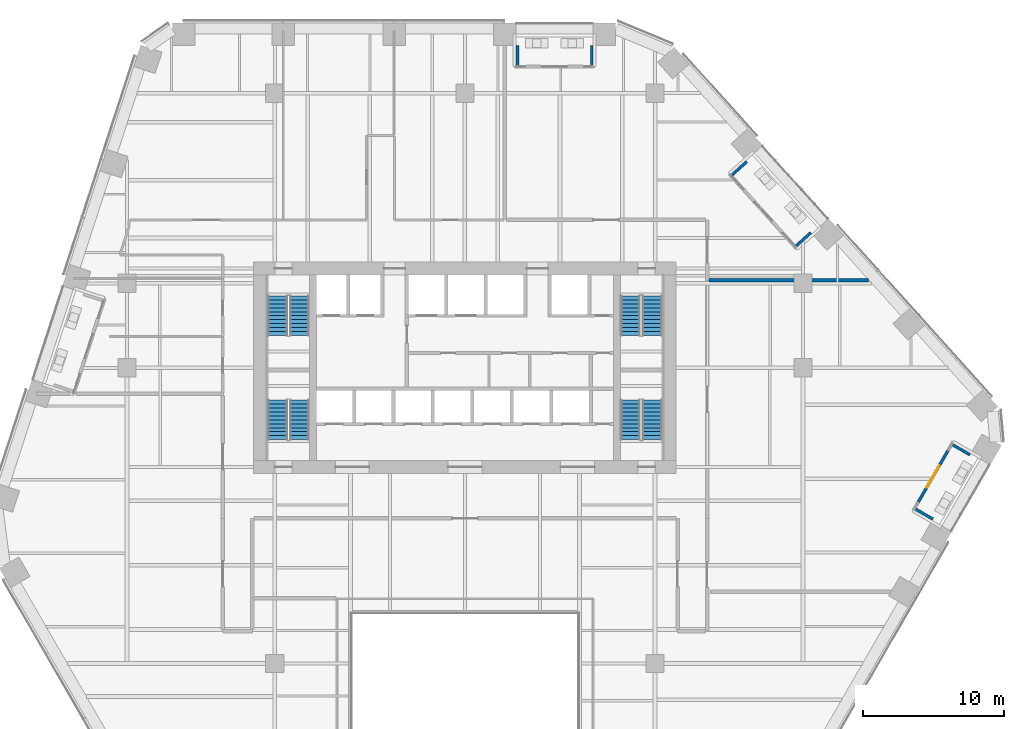
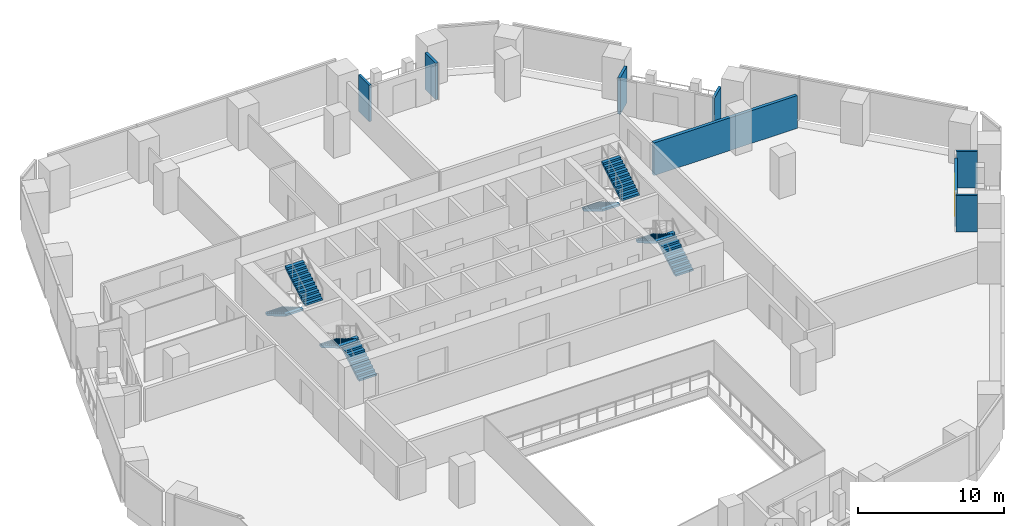
# One storey, part 23 of 28: 8 stair flights, 8 walls, 1 door, 1 opening, 4 elements without a shape of their own.
"""IFC4 building model written with IfcOpenShell, lengths in metres."""

from ifc_helpers import new_model, si_unit, direction, frame, frame_2d, origin, place, context, subcontext, project, spatial, polyline, rectangle, outline, extrude, material, layer, layer_set, type_object, element, fill, aggregate, save


model = new_model("IFC4")

# Units and contexts
model_context = context("Model", 3, precision=1e-05, world=origin(), true_north=direction((0.0, 1.0)))
body_context = subcontext(model_context, "Body", "Model", "MODEL_VIEW")
ifc_project = project(units=[si_unit("LENGTHUNIT", "METRE"), si_unit("AREAUNIT", "SQUARE_METRE"), si_unit("VOLUMEUNIT", "CUBIC_METRE"), si_unit("PLANEANGLEUNIT", "RADIAN"), si_unit("MASSUNIT", "GRAM", prefix="KILO")], contexts=[model_context])

# Site, building, storey
site_placement = place(None, origin())
site = spatial("IfcSite", under=ifc_project, at=site_placement, CompositionType="ELEMENT")
building_placement = place(site_placement, origin())
building = spatial("IfcBuilding", under=site, at=building_placement, Name="Isthmus Gate Tower", CompositionType="ELEMENT")
storey_placement = place(building_placement, frame((0.0, 0.0, 98.89990234375)))
storey = spatial("IfcBuildingStorey", under=building, at=storey_placement, Name="L23", CompositionType="ELEMENT", Elevation=98.89990234375)

# Walls
ifc_material_1 = material(Name="Double-leaf acoustic stud wall, fire-rated", Category="gypsum")
ifc_layer_1 = layer(ifc_material_1, 0.25)
ifc_layer_set_1 = layer_set([ifc_layer_1], Name="ACOUSTIC WALL 250 60 MIN")
wall_type_1 = type_object("IfcWallType", Name="ACOUSTIC WALL 250 60 MIN", PredefinedType="PARTITIONING", material=ifc_layer_set_1)
wall_1_placement = place(storey_placement, frame((17.324951171875, 13.708984375, 0.0), z_axis=(0.0, 0.0, 1.0), x_axis=(1.0, 0.0, 0.0)))
element("IfcWall", 1, at=wall_1_placement, inside=storey, type_object=wall_type_1, Name="L23 Acoustic Wall 250 60 Min", PredefinedType="PARTITIONING", context=body_context, shape_type="SweptSolid", body=[
    extrude(rectangle(XDim=11.343017578125, YDim=0.25, at=frame_2d((5.67138671875, 0.0))), origin(), (0.0, 0.0, 1.0), 2.7412109375),
])
ifc_material_2 = material(Name="Precast concrete C40/50", Category="concrete")
ifc_layer_2 = layer(ifc_material_2, 0.199951171875)
ifc_layer_set_2 = layer_set([ifc_layer_2], Name="LOGGIA WALL 200")
wall_type_2 = type_object("IfcWallType", Name="LOGGIA WALL 200", PredefinedType="SOLIDWALL", material=ifc_layer_set_2)
for number, where, z_axis, x_axis, name in (
    (2, (9.001953125, 30.39990234375, 0.0), (0.0, 0.0, 1.0), (0.0, -1.0, 0.0), "LOGGIA SIDE WALL"),
    (3, (3.732421875, 30.39990234375, 0.0), (0.0, 0.0, 1.0), (0.0, -1.0, 0.0), "LOGGIA SIDE WALL"),
):
    element("IfcWall", number, at=place(storey_placement, frame(where, z_axis=z_axis, x_axis=x_axis)), inside=storey, type_object=wall_type_2, Name=name, PredefinedType="SOLIDWALL", context=body_context, shape_type="SweptSolid", body=[
        extrude(rectangle(XDim=1.48388671875, YDim=0.199951171875, at=frame_2d((0.741943359375, 0.0))), origin(), (0.0, 0.0, 1.0), 3.050048828125),
    ])

# Wall, opening, door
wall_2_placement = place(storey_placement, frame((32.198974609375, -2.030029296875, 0.0), z_axis=(0.0, 0.0, 1.0), x_axis=(0.499958946799, 0.866049104564, 0.0)))
wall_2 = element("IfcWall", 4, at=wall_2_placement, inside=storey, type_object=wall_type_2, Name="LOGGIA BACK WALL", PredefinedType="SOLIDWALL", context=body_context, shape_type="SweptSolid", body=[
    extrude(rectangle(XDim=4.199951171875, YDim=0.199951171875, at=frame_2d((2.10009765625, 0.0))), origin(), (0.0, 0.0, 1.0), 2.82080078125),
])
opening_placement = place(wall_2_placement, frame((1.199951171875, 0.0, 0.0)))
opening = element("IfcOpeningElement", 5, at=opening_placement, cuts=wall_2, Name="Opening DE23-05", PredefinedType="OPENING", context=body_context, shape_type="SweptSolid", body=[
    extrude(rectangle(XDim=1.800048828125, YDim=2.39990234375, at=frame_2d((0.89990234375, 1.199951171875))), frame((0.0, 0.10986328125, 0.0), z_axis=(0.0, -1.0, 0.0), x_axis=(1.0, 0.0, 0.0)), (0.0, 0.0, 1.0), 0.219970703125),
])
ifc_material_3 = material(Name="Aluminium, pale champagne anodised, laminated glass", Category="aluminium")
door_type = type_object("IfcDoorType", Name="LOGGIA DOOR SLIDING 1800 X 2400", OperationType="DOUBLE_DOOR_SLIDING", PredefinedType="DOOR", material=ifc_material_3)
door_placement = place(opening_placement, origin())
door = element("IfcDoor", 6, at=door_placement, inside=storey, type_object=door_type, Name="DOOR DE23-05", OperationType="SINGLE_SWING_LEFT", OverallHeight=2.39990234375, OverallWidth=1.800048828125, PredefinedType="DOOR", context=body_context, shape_type="SweptSolid", body=[
    extrude(rectangle(XDim=1.800048828125, YDim=2.39990234375, at=frame_2d((0.89990234375, 1.199951171875))), frame((0.0, 0.02490234375, 0.0), z_axis=(0.0, -1.0, 0.0), x_axis=(1.0, 0.0, 0.0)), (0.0, 0.0, 1.0), 0.050048828125),
])
fill(opening, door)

# Walls
for number, where, z_axis, x_axis, name in (
    (7, (33.23046875, -3.242919921875, 0.0), (0.0, 0.0, 1.0), (-0.866037643702, 0.499978799242, 0.0), "LOGGIA SIDE WALL"),
    (8, (35.865234375, 1.320556640625, 0.0), (0.0, 0.0, 1.0), (-0.866037643702, 0.499978799242, 0.0), "LOGGIA SIDE WALL"),
):
    element("IfcWall", number, at=place(storey_placement, frame(where, z_axis=z_axis, x_axis=x_axis)), inside=storey, type_object=wall_type_2, Name=name, PredefinedType="SOLIDWALL", context=body_context, shape_type="SweptSolid", body=[
        extrude(rectangle(XDim=1.48388671875, YDim=0.199951171875, at=frame_2d((0.741943359375, 0.0))), origin(), (0.0, 0.0, 1.0), 3.050048828125),
    ])
wall_3_placement = place(storey_placement, frame((24.568603515625, 17.100830078125, 0.0), z_axis=(0.0, 0.0, 1.0), x_axis=(-0.743155057383, -0.669119242501, 0.0)))
element("IfcWall", 9, at=wall_3_placement, inside=storey, type_object=wall_type_2, Name="LOGGIA SIDE WALL", PredefinedType="SOLIDWALL", context=body_context, shape_type="SweptSolid", body=[
    extrude(rectangle(XDim=1.48388671875, YDim=0.199951171875, at=frame_2d((0.741943359375, 0.0))), origin(), (0.0, 0.0, 1.0), 2.82080078125),
])
wall_4_placement = place(storey_placement, frame((20.025634765625, 22.146240234375, 0.0), z_axis=(0.0, 0.0, 1.0), x_axis=(-0.743155057383, -0.669119242501, 0.0)))
element("IfcWall", 10, at=wall_4_placement, inside=storey, type_object=wall_type_2, Name="LOGGIA SIDE WALL", PredefinedType="SOLIDWALL", context=body_context, shape_type="SweptSolid", body=[
    extrude(rectangle(XDim=1.48388671875, YDim=0.199951171875, at=frame_2d((0.741943359375, 0.0))), origin(), (0.0, 0.0, 1.0), 3.050048828125),
])

# Stair, stair flights
ifc_material_4 = material(Name="Concrete f'c 40 MPa", Category="concrete")
stair_type = type_object("IfcStairType", Name="CORE STAIR 22 RISERS", PredefinedType="HALF_TURN_STAIR", material=ifc_material_4)
stair_1_placement = place(storey_placement, origin())
stair_1 = element("IfcStair", 11, at=stair_1_placement, inside=storey, type_object=stair_type, Name="L23 Exit Stair 1", PredefinedType="HALF_TURN_STAIR")
ifc_material_5 = material(Name="Concrete f'c 40 MPa", Category="concrete")
stair_flight_type = type_object("IfcStairFlightType", Name="STAIR FLIGHT RC 1400", PredefinedType="STRAIGHT", material=ifc_material_5)
stair_flight_1_placement = place(storey_placement, frame((-13.300048828125, 12.60009765625, 0.0), z_axis=(0.0, 0.0, 1.0), x_axis=(0.0, -1.0, 0.0)))
stair_flight_1 = element("IfcStairFlight", 12, at=stair_flight_1_placement, type_object=stair_flight_type, Name="ST1 flight 1", NumberOfRisers=11, NumberOfTreads=10, PredefinedType="STRAIGHT", RiserHeight=0.165909091, TreadLength=0.28, context=body_context, shape_type="SweptSolid", body=[
    extrude(outline(polyline([(0.0, 0.0), (0.0, 0.166015625), (0.280029296875, 0.166015625), (0.280029296875, 0.331787109375), (0.56005859375, 0.331787109375), (0.56005859375, 0.497802734375), (0.840087890625, 0.497802734375), (0.840087890625, 0.66357421875), (1.1201171875, 0.66357421875), (1.1201171875, 0.82958984375), (1.39990234375, 0.82958984375), (1.39990234375, 0.995361328125), (1.679931640625, 0.995361328125), (1.679931640625, 1.161376953125), (1.9599609375, 1.161376953125), (1.9599609375, 1.327392578125), (2.239990234375, 1.327392578125), (2.239990234375, 1.4931640625), (2.52001953125, 1.4931640625), (2.52001953125, 1.6591796875), (2.800048828125, 1.6591796875), (2.800048828125, 1.824951171875), (2.800048828125, 1.48486328125), (0.2939453125, 0.0), (0.0, 0.0)])), frame((0.0, 0.699951171875, 0.0), z_axis=(0.0, -1.0, 0.0), x_axis=(1.0, 0.0, 0.0)), (0.0, 0.0, 1.0), 1.39990234375),
])
stair_flight_2_placement = place(storey_placement, frame((-11.75, 9.800048828125, 1.8251953125), z_axis=(0.0, 0.0, 1.0), x_axis=(0.0, 1.0, 0.0)))
stair_flight_2 = element("IfcStairFlight", 13, at=stair_flight_2_placement, type_object=stair_flight_type, Name="ST1 flight 2", NumberOfRisers=11, NumberOfTreads=10, PredefinedType="STRAIGHT", RiserHeight=0.165909091, TreadLength=0.28, context=body_context, shape_type="SweptSolid", body=[
    extrude(outline(polyline([(0.0, 0.0), (0.0, 0.166015625), (0.280029296875, 0.166015625), (0.280029296875, 0.331787109375), (0.56005859375, 0.331787109375), (0.56005859375, 0.497802734375), (0.840087890625, 0.497802734375), (0.840087890625, 0.66357421875), (1.1201171875, 0.66357421875), (1.1201171875, 0.82958984375), (1.39990234375, 0.82958984375), (1.39990234375, 0.995361328125), (1.679931640625, 0.995361328125), (1.679931640625, 1.161376953125), (1.9599609375, 1.161376953125), (1.9599609375, 1.327392578125), (2.239990234375, 1.327392578125), (2.239990234375, 1.4931640625), (2.52001953125, 1.4931640625), (2.52001953125, 1.6591796875), (2.800048828125, 1.6591796875), (2.800048828125, 1.824951171875), (2.800048828125, 1.48486328125), (0.2939453125, 0.0), (0.0, 0.0)])), frame((0.0, 0.699951171875, 0.0), z_axis=(0.0, -1.0, 0.0), x_axis=(1.0, 0.0, 0.0)), (0.0, 0.0, 1.0), 1.39990234375),
])
aggregate(stair_1, [stair_flight_1, stair_flight_2])

stair_2_placement = place(storey_placement, origin())
stair_2 = element("IfcStair", 14, at=stair_2_placement, inside=storey, type_object=stair_type, Name="L23 Exit Stair 2", PredefinedType="HALF_TURN_STAIR")
stair_flight_3_placement = place(storey_placement, frame((11.75, 12.60009765625, 0.0), z_axis=(0.0, 0.0, 1.0), x_axis=(0.0, -1.0, 0.0)))
stair_flight_3 = element("IfcStairFlight", 15, at=stair_flight_3_placement, type_object=stair_flight_type, Name="ST2 flight 1", NumberOfRisers=11, NumberOfTreads=10, PredefinedType="STRAIGHT", RiserHeight=0.165909091, TreadLength=0.28, context=body_context, shape_type="SweptSolid", body=[
    extrude(outline(polyline([(0.0, 0.0), (0.0, 0.166015625), (0.280029296875, 0.166015625), (0.280029296875, 0.331787109375), (0.56005859375, 0.331787109375), (0.56005859375, 0.497802734375), (0.840087890625, 0.497802734375), (0.840087890625, 0.66357421875), (1.1201171875, 0.66357421875), (1.1201171875, 0.82958984375), (1.39990234375, 0.82958984375), (1.39990234375, 0.995361328125), (1.679931640625, 0.995361328125), (1.679931640625, 1.161376953125), (1.9599609375, 1.161376953125), (1.9599609375, 1.327392578125), (2.239990234375, 1.327392578125), (2.239990234375, 1.4931640625), (2.52001953125, 1.4931640625), (2.52001953125, 1.6591796875), (2.800048828125, 1.6591796875), (2.800048828125, 1.824951171875), (2.800048828125, 1.48486328125), (0.2939453125, 0.0), (0.0, 0.0)])), frame((0.0, 0.699951171875, 0.0), z_axis=(0.0, -1.0, 0.0), x_axis=(1.0, 0.0, 0.0)), (0.0, 0.0, 1.0), 1.39990234375),
])
stair_flight_4_placement = place(storey_placement, frame((13.300048828125, 9.800048828125, 1.8251953125), z_axis=(0.0, 0.0, 1.0), x_axis=(0.0, 1.0, 0.0)))
stair_flight_4 = element("IfcStairFlight", 16, at=stair_flight_4_placement, type_object=stair_flight_type, Name="ST2 flight 2", NumberOfRisers=11, NumberOfTreads=10, PredefinedType="STRAIGHT", RiserHeight=0.165909091, TreadLength=0.28, context=body_context, shape_type="SweptSolid", body=[
    extrude(outline(polyline([(0.0, 0.0), (0.0, 0.166015625), (0.280029296875, 0.166015625), (0.280029296875, 0.331787109375), (0.56005859375, 0.331787109375), (0.56005859375, 0.497802734375), (0.840087890625, 0.497802734375), (0.840087890625, 0.66357421875), (1.1201171875, 0.66357421875), (1.1201171875, 0.82958984375), (1.39990234375, 0.82958984375), (1.39990234375, 0.995361328125), (1.679931640625, 0.995361328125), (1.679931640625, 1.161376953125), (1.9599609375, 1.161376953125), (1.9599609375, 1.327392578125), (2.239990234375, 1.327392578125), (2.239990234375, 1.4931640625), (2.52001953125, 1.4931640625), (2.52001953125, 1.6591796875), (2.800048828125, 1.6591796875), (2.800048828125, 1.824951171875), (2.800048828125, 1.48486328125), (0.2939453125, 0.0), (0.0, 0.0)])), frame((0.0, 0.699951171875, 0.0), z_axis=(0.0, -1.0, 0.0), x_axis=(1.0, 0.0, 0.0)), (0.0, 0.0, 1.0), 1.39990234375),
])
aggregate(stair_2, [stair_flight_3, stair_flight_4])

stair_3_placement = place(storey_placement, origin())
stair_3 = element("IfcStair", 17, at=stair_3_placement, inside=storey, type_object=stair_type, Name="L23 Exit Stair 7", PredefinedType="HALF_TURN_STAIR")
stair_flight_5_placement = place(storey_placement, frame((-11.75, 2.39990234375, 0.0), z_axis=(0.0, 0.0, 1.0), x_axis=(0.0, 1.0, 0.0)))
stair_flight_5 = element("IfcStairFlight", 18, at=stair_flight_5_placement, type_object=stair_flight_type, Name="ST7 flight 1", NumberOfRisers=11, NumberOfTreads=10, PredefinedType="STRAIGHT", RiserHeight=0.165909091, TreadLength=0.28, context=body_context, shape_type="SweptSolid", body=[
    extrude(outline(polyline([(0.0, 0.0), (0.0, 0.166015625), (0.280029296875, 0.166015625), (0.280029296875, 0.331787109375), (0.56005859375, 0.331787109375), (0.56005859375, 0.497802734375), (0.840087890625, 0.497802734375), (0.840087890625, 0.66357421875), (1.1201171875, 0.66357421875), (1.1201171875, 0.82958984375), (1.39990234375, 0.82958984375), (1.39990234375, 0.995361328125), (1.679931640625, 0.995361328125), (1.679931640625, 1.161376953125), (1.9599609375, 1.161376953125), (1.9599609375, 1.327392578125), (2.239990234375, 1.327392578125), (2.239990234375, 1.4931640625), (2.52001953125, 1.4931640625), (2.52001953125, 1.6591796875), (2.800048828125, 1.6591796875), (2.800048828125, 1.824951171875), (2.800048828125, 1.48486328125), (0.2939453125, 0.0), (0.0, 0.0)])), frame((0.0, 0.699951171875, 0.0), z_axis=(0.0, -1.0, 0.0), x_axis=(1.0, 0.0, 0.0)), (0.0, 0.0, 1.0), 1.39990234375),
])
stair_flight_6_placement = place(storey_placement, frame((-13.300048828125, 5.199951171875, 1.8251953125), z_axis=(0.0, 0.0, 1.0), x_axis=(0.0, -1.0, 0.0)))
stair_flight_6 = element("IfcStairFlight", 19, at=stair_flight_6_placement, type_object=stair_flight_type, Name="ST7 flight 2", NumberOfRisers=11, NumberOfTreads=10, PredefinedType="STRAIGHT", RiserHeight=0.165909091, TreadLength=0.28, context=body_context, shape_type="SweptSolid", body=[
    extrude(outline(polyline([(0.0, 0.0), (0.0, 0.166015625), (0.280029296875, 0.166015625), (0.280029296875, 0.331787109375), (0.56005859375, 0.331787109375), (0.56005859375, 0.497802734375), (0.840087890625, 0.497802734375), (0.840087890625, 0.66357421875), (1.1201171875, 0.66357421875), (1.1201171875, 0.82958984375), (1.39990234375, 0.82958984375), (1.39990234375, 0.995361328125), (1.679931640625, 0.995361328125), (1.679931640625, 1.161376953125), (1.9599609375, 1.161376953125), (1.9599609375, 1.327392578125), (2.239990234375, 1.327392578125), (2.239990234375, 1.4931640625), (2.52001953125, 1.4931640625), (2.52001953125, 1.6591796875), (2.800048828125, 1.6591796875), (2.800048828125, 1.824951171875), (2.800048828125, 1.48486328125), (0.2939453125, 0.0), (0.0, 0.0)])), frame((0.0, 0.699951171875, 0.0), z_axis=(0.0, -1.0, 0.0), x_axis=(1.0, 0.0, 0.0)), (0.0, 0.0, 1.0), 1.39990234375),
])
aggregate(stair_3, [stair_flight_5, stair_flight_6])

stair_4_placement = place(storey_placement, origin())
stair_4 = element("IfcStair", 20, at=stair_4_placement, inside=storey, type_object=stair_type, Name="L23 Exit Stair 8", PredefinedType="HALF_TURN_STAIR")
stair_flight_7_placement = place(storey_placement, frame((13.300048828125, 2.39990234375, 0.0), z_axis=(0.0, 0.0, 1.0), x_axis=(0.0, 1.0, 0.0)))
stair_flight_7 = element("IfcStairFlight", 21, at=stair_flight_7_placement, type_object=stair_flight_type, Name="ST8 flight 1", NumberOfRisers=11, NumberOfTreads=10, PredefinedType="STRAIGHT", RiserHeight=0.165909091, TreadLength=0.28, context=body_context, shape_type="SweptSolid", body=[
    extrude(outline(polyline([(0.0, 0.0), (0.0, 0.166015625), (0.280029296875, 0.166015625), (0.280029296875, 0.331787109375), (0.56005859375, 0.331787109375), (0.56005859375, 0.497802734375), (0.840087890625, 0.497802734375), (0.840087890625, 0.66357421875), (1.1201171875, 0.66357421875), (1.1201171875, 0.82958984375), (1.39990234375, 0.82958984375), (1.39990234375, 0.995361328125), (1.679931640625, 0.995361328125), (1.679931640625, 1.161376953125), (1.9599609375, 1.161376953125), (1.9599609375, 1.327392578125), (2.239990234375, 1.327392578125), (2.239990234375, 1.4931640625), (2.52001953125, 1.4931640625), (2.52001953125, 1.6591796875), (2.800048828125, 1.6591796875), (2.800048828125, 1.824951171875), (2.800048828125, 1.48486328125), (0.2939453125, 0.0), (0.0, 0.0)])), frame((0.0, 0.699951171875, 0.0), z_axis=(0.0, -1.0, 0.0), x_axis=(1.0, 0.0, 0.0)), (0.0, 0.0, 1.0), 1.39990234375),
])
stair_flight_8_placement = place(storey_placement, frame((11.75, 5.199951171875, 1.8251953125), z_axis=(0.0, 0.0, 1.0), x_axis=(0.0, -1.0, 0.0)))
stair_flight_8 = element("IfcStairFlight", 22, at=stair_flight_8_placement, type_object=stair_flight_type, Name="ST8 flight 2", NumberOfRisers=11, NumberOfTreads=10, PredefinedType="STRAIGHT", RiserHeight=0.165909091, TreadLength=0.28, context=body_context, shape_type="SweptSolid", body=[
    extrude(outline(polyline([(0.0, 0.0), (0.0, 0.166015625), (0.280029296875, 0.166015625), (0.280029296875, 0.331787109375), (0.56005859375, 0.331787109375), (0.56005859375, 0.497802734375), (0.840087890625, 0.497802734375), (0.840087890625, 0.66357421875), (1.1201171875, 0.66357421875), (1.1201171875, 0.82958984375), (1.39990234375, 0.82958984375), (1.39990234375, 0.995361328125), (1.679931640625, 0.995361328125), (1.679931640625, 1.161376953125), (1.9599609375, 1.161376953125), (1.9599609375, 1.327392578125), (2.239990234375, 1.327392578125), (2.239990234375, 1.4931640625), (2.52001953125, 1.4931640625), (2.52001953125, 1.6591796875), (2.800048828125, 1.6591796875), (2.800048828125, 1.824951171875), (2.800048828125, 1.48486328125), (0.2939453125, 0.0), (0.0, 0.0)])), frame((0.0, 0.699951171875, 0.0), z_axis=(0.0, -1.0, 0.0), x_axis=(1.0, 0.0, 0.0)), (0.0, 0.0, 1.0), 1.39990234375),
])
aggregate(stair_4, [stair_flight_7, stair_flight_8])

save(model, "model.ifc")
